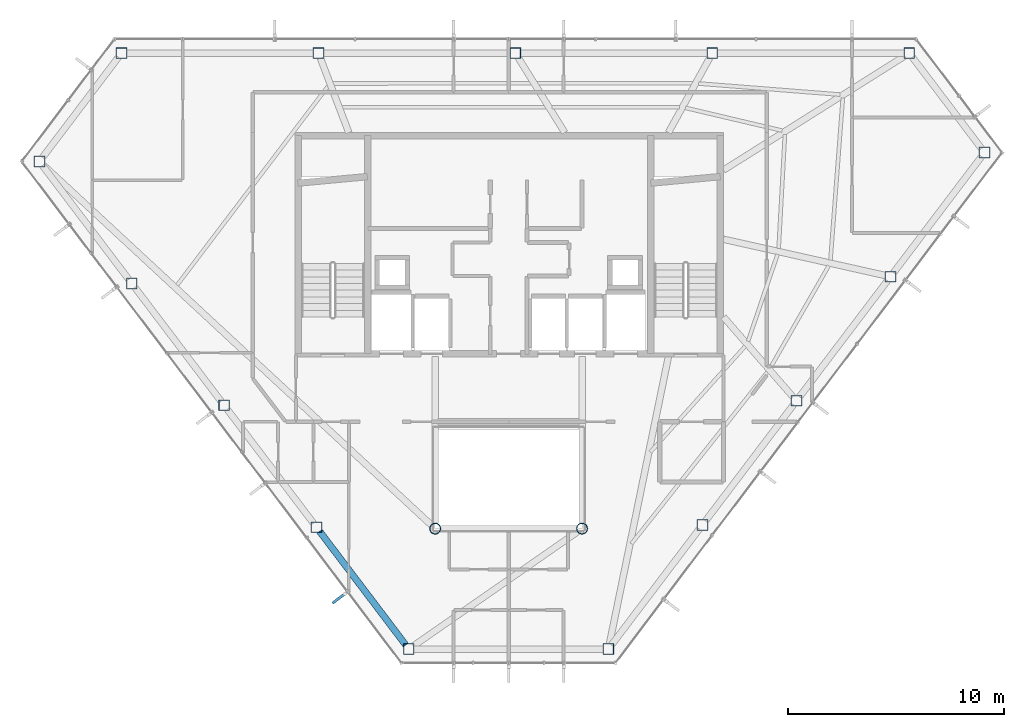
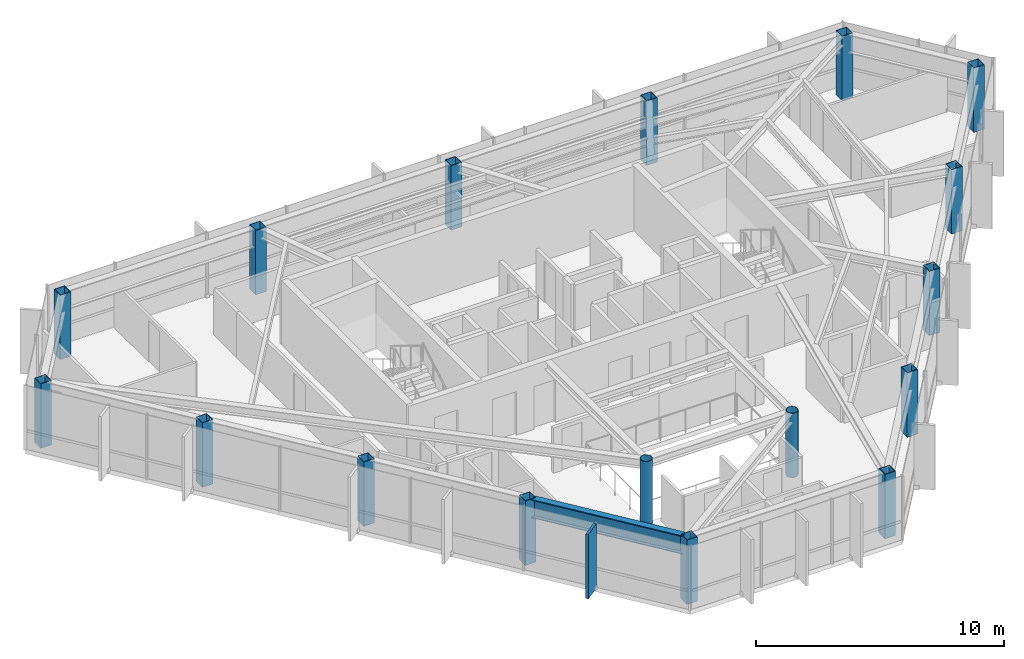
# One storey, part 1 of 26: 17 columns, 1 beam, 1 member, 1 element without a shape of its own.
"""IFC4 building model written with IfcOpenShell, lengths in metres."""

from ifc_helpers import new_model, si_unit, direction, frame, origin, origin_2d, place, context, subcontext, project, spatial, rectangle, hollow_rectangle, hollow_circle, i_section, extrude, material, layer, layer_set, material_profile, profile_set, type_object, element, aggregate, save


model = new_model("IFC4")

# Units and contexts
model_context = context("Model", 3, precision=1e-05, world=origin(), true_north=direction((0.0, 1.0)))
body_context = subcontext(model_context, "Body", "Model", "MODEL_VIEW")
ifc_project = project(units=[si_unit("LENGTHUNIT", "METRE"), si_unit("AREAUNIT", "SQUARE_METRE"), si_unit("VOLUMEUNIT", "CUBIC_METRE"), si_unit("PLANEANGLEUNIT", "RADIAN"), si_unit("MASSUNIT", "GRAM", prefix="KILO")], contexts=[model_context])

# Site, building, storey
site_placement = place(None, origin())
site = spatial("IfcSite", under=ifc_project, at=site_placement, CompositionType="ELEMENT")
building_placement = place(site_placement, origin())
building = spatial("IfcBuilding", under=site, at=building_placement, Name="Zarrinselat Tower", CompositionType="ELEMENT")
storey_placement = place(building_placement, frame((0.0, 0.0, 258.39990234375)))
storey = spatial("IfcBuildingStorey", under=building, at=storey_placement, Name="L65", CompositionType="ELEMENT", Elevation=258.39990234375)

# Columns
ifc_material_1 = material(Name="Steel S355J2", Category="steel")
ifc_material_profile_1 = material_profile(ifc_material_1, hollow_circle(Radius=0.25390625, WallThickness=0.02001953125, at=origin_2d()), Name="CHS 508x20")
ifc_profile_set_1 = profile_set([ifc_material_profile_1], Name="Steel S355J2")
column_type_1 = type_object("IfcColumnType", Name="COL-CHS508", PredefinedType="COLUMN", material=ifc_profile_set_1)
for number, where, z_axis, x_axis, name in (
    (1, (35.0, 25.199951171875, 0.0), (0.0, 0.0, 1.0), (1.0, 0.0, 0.0), "L65 Atrium Corner Column 1"),
    (2, (41.800048828125, 25.199951171875, 0.0), (0.0, 0.0, 1.0), (1.0, 0.0, 0.0), "L65 Atrium Corner Column 2"),
):
    element("IfcColumn", number, at=place(storey_placement, frame(where, z_axis=z_axis, x_axis=x_axis)), inside=storey, type_object=column_type_1, Name=name, PredefinedType="COLUMN", context=body_context, shape_type="SweptSolid", body=[
        extrude(hollow_circle(Radius=0.25390625, WallThickness=0.02001953125, at=origin_2d()), origin(), (0.0, 0.0, 1.0), 3.18017578125),
    ])
ifc_material_2 = material(Name="Steel S355J2", Category="steel")
ifc_material_profile_2 = material_profile(ifc_material_2, hollow_rectangle(XDim=0.5, YDim=0.5, WallThickness=0.02490234375, at=origin_2d()), Name="SHS 500x500x25")
ifc_profile_set_2 = profile_set([ifc_material_profile_2], Name="Steel S355J2")
column_type_2 = type_object("IfcColumnType", Name="COL-SHS500", PredefinedType="COLUMN", material=ifc_profile_set_2)
for number, where, z_axis, x_axis, name in (
    (3, (56.95166015625, 47.216796875, 0.0), (0.0, 0.0, 1.0), (1.0, 0.0, 0.0), "L65 Framed-Tube Column T01"),
    (4, (47.832763671875, 47.216796875, 0.0), (0.0, 0.0, 1.0), (1.0, 0.0, 0.0), "L65 Framed-Tube Column T02"),
    (5, (38.7138671875, 47.216796875, 0.0), (0.0, 0.0, 1.0), (1.0, 0.0, 0.0), "L65 Framed-Tube Column T03"),
    (6, (29.59521484375, 47.216796875, 0.0), (0.0, 0.0, 1.0), (1.0, 0.0, 0.0), "L65 Framed-Tube Column T04"),
    (7, (20.476318359375, 47.216796875, 0.0), (0.0, 0.0, 1.0), (1.0, 0.0, 0.0), "L65 Framed-Tube Column T05"),
    (8, (16.675537109375, 42.199462890625, 0.0), (0.0, 0.0, 1.0), (1.0, 0.0, 0.0), "L65 Framed-Tube Column T06"),
    (9, (20.95166015625, 36.554931640625, 0.0), (0.0, 0.0, 1.0), (1.0, 0.0, 0.0), "L65 Framed-Tube Column T07"),
    (10, (25.227783203125, 30.910400390625, 0.0), (0.0, 0.0, 1.0), (1.0, 0.0, 0.0), "L65 Framed-Tube Column T08"),
    (11, (29.504150390625, 25.265625, 0.0), (0.0, 0.0, 1.0), (1.0, 0.0, 0.0), "L65 Framed-Tube Column T09"),
    (12, (33.7802734375, 19.62109375, 0.0), (0.0, 0.0, 1.0), (1.0, 0.0, 0.0), "L65 Framed-Tube Column T10"),
    (13, (43.019775390625, 19.62109375, 0.0), (0.0, 0.0, 1.0), (1.0, 0.0, 0.0), "L65 Framed-Tube Column T11"),
    (14, (47.37451171875, 25.369384765625, 0.0), (0.0, 0.0, 1.0), (1.0, 0.0, 0.0), "L65 Framed-Tube Column T12"),
    (15, (51.72900390625, 31.117431640625, 0.0), (0.0, 0.0, 1.0), (1.0, 0.0, 0.0), "L65 Framed-Tube Column T13"),
    (16, (56.083740234375, 36.86572265625, 0.0), (0.0, 0.0, 1.0), (1.0, 0.0, 0.0), "L65 Framed-Tube Column T14"),
    (17, (60.4384765625, 42.614013671875, 0.0), (0.0, 0.0, 1.0), (1.0, 0.0, 0.0), "L65 Framed-Tube Column T15"),
):
    element("IfcColumn", number, at=place(storey_placement, frame(where, z_axis=z_axis, x_axis=x_axis)), inside=storey, type_object=column_type_2, Name=name, PredefinedType="COLUMN", context=body_context, shape_type="SweptSolid", body=[
        extrude(hollow_rectangle(XDim=0.5, YDim=0.5, WallThickness=0.02490234375, at=origin_2d()), origin(), (0.0, 0.0, 1.0), 3.18017578125),
    ])

# Beam
ifc_material_3 = material(Name="Steel S460M", Category="steel")
ifc_material_profile_3 = material_profile(ifc_material_3, i_section(OverallWidth=0.302001953125, OverallDepth=0.909912109375, WebThickness=0.02099609375, FlangeThickness=0.0400390625, at=origin_2d()), Name="HEM 900")
ifc_profile_set_3 = profile_set([ifc_material_profile_3], Name="Steel S460M")
beam_type = type_object("IfcBeamType", Name="BM-HEM900", PredefinedType="BEAM", material=ifc_profile_set_3)
beam_placement = place(storey_placement, frame((29.647705078125, 25.075927734375, 2.72509765625), z_axis=(0.603884016578, -0.797072201574, 0.0), x_axis=(0.797072201574, 0.603884016578, 0.0)))
element("IfcBeam", 18, at=beam_placement, inside=storey, type_object=beam_type, Name="L65 Perimeter Spandrel Girder SP09", PredefinedType="BEAM", context=body_context, shape_type="SweptSolid", body=[
    extrude(i_section(OverallWidth=0.302001953125, OverallDepth=0.909912109375, WebThickness=0.02099609375, FlangeThickness=0.0400390625, at=origin_2d()), origin(), (0.0, 0.0, 1.0), 6.605712890625),
])

# Curtain wall, member
ifc_material_4 = material(Name="Extruded Aluminium Alloy EN AW-6063 T6", Category="aluminium")
ifc_layer = layer(ifc_material_4, 0.169921875)
ifc_layer_set = layer_set([ifc_layer], Name="Extruded Aluminium Alloy EN AW-6063 T6")
curtain_wall_type = type_object("IfcCurtainWallType", Name="CWS-RES", PredefinedType="NOTDEFINED", material=ifc_layer_set)
curtain_wall_placement = place(storey_placement, origin())
curtain_wall = element("IfcCurtainWall", 19, at=curtain_wall_placement, inside=storey, type_object=curtain_wall_type, Name="L65 Unitised Curtain Wall CW-L65-E03", PredefinedType="NOTDEFINED")
ifc_material_5 = material(Name="Honed Cream Travertine Stone", Category="masonry")
ifc_material_profile_4 = material_profile(ifc_material_5, rectangle(XDim=0.1201171875, YDim=0.85009765625, at=origin_2d()), Name="FIN 850x120")
ifc_profile_set_4 = profile_set([ifc_material_profile_4], Name="Honed Cream Travertine Stone")
member_type = type_object("IfcMemberType", Name="MEM-STONE-FIN", PredefinedType="USERDEFINED", material=ifc_profile_set_4)
member_placement = place(storey_placement, frame((30.58349609375, 22.002685546875, 0.0), z_axis=(0.0, 0.0, 1.0), x_axis=(-0.603858282603, 0.797091697694, 0.0)))
member = element("IfcMember", 20, at=member_placement, type_object=member_type, Name="L65 Stone Shading Fin CW-L65-E03-09", ObjectType="FIN", PredefinedType="USERDEFINED", context=body_context, shape_type="SweptSolid", body=[
    extrude(rectangle(XDim=0.1201171875, YDim=0.85009765625, at=origin_2d()), origin(), (0.0, 0.0, 1.0), 3.18017578125),
])
aggregate(curtain_wall, [member])

save(model, "model.ifc")
